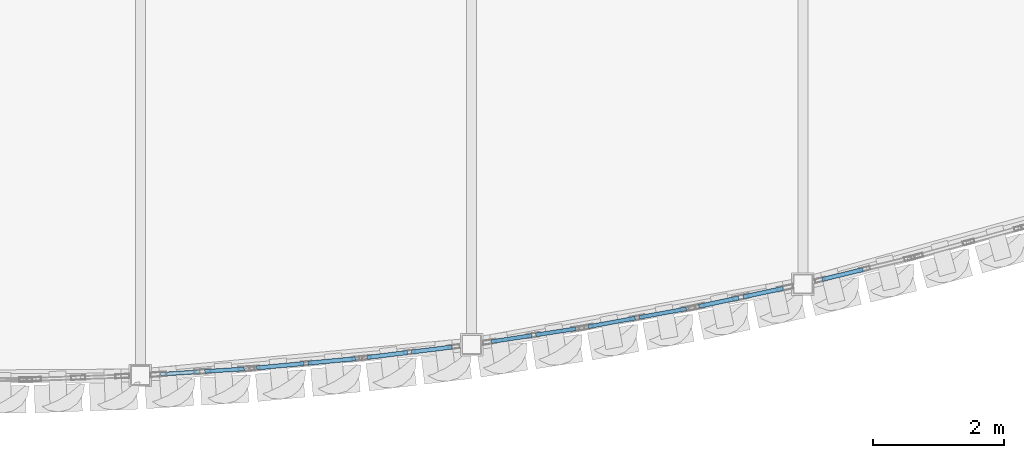
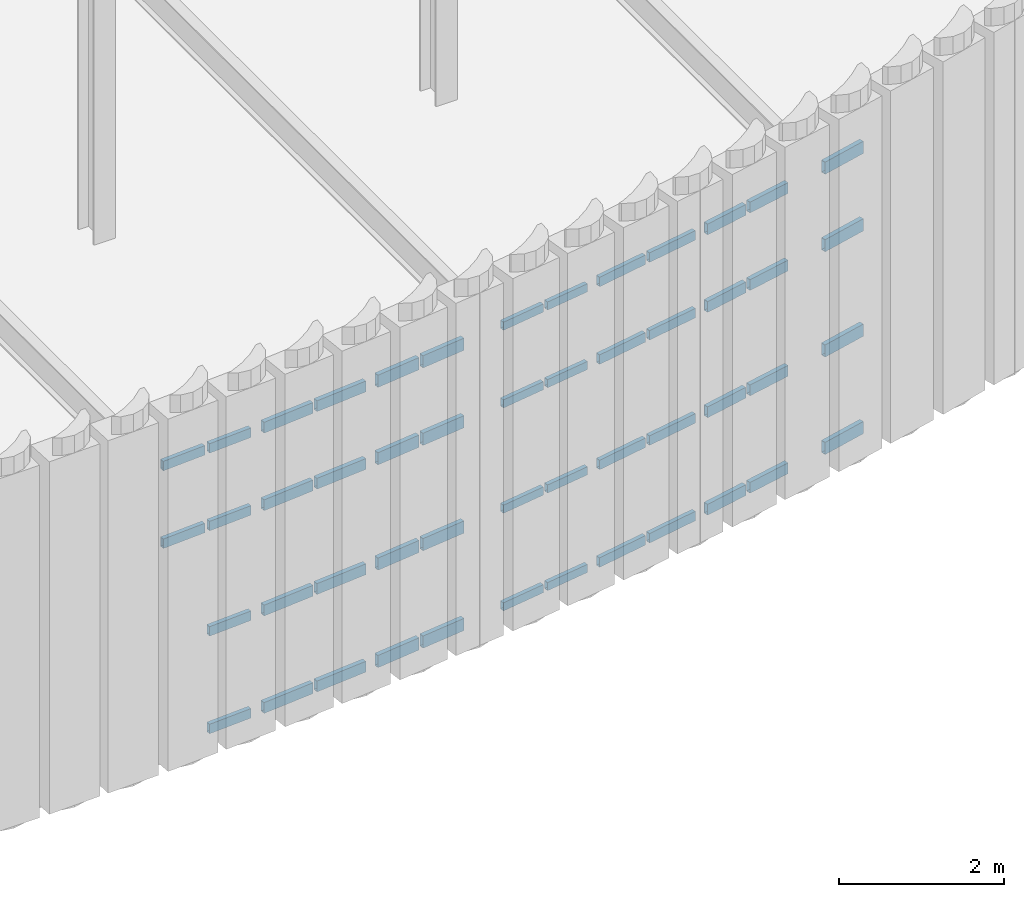
# One storey, part 76 of 126: 50 members, 7 elements without a shape of their own.
"""IFC4 building model written with IfcOpenShell, lengths in metres."""

from ifc_helpers import new_model, si_unit, direction, frame, origin, origin_2d, place, context, subcontext, project, spatial, hollow_rectangle, extrude, material, layer, layer_set, material_profile, profile_set, type_object, element, aggregate, save


model = new_model("IFC4")

# Units and contexts
model_context = context("Model", 3, precision=1e-05, world=origin(), true_north=direction((0.0, 1.0)))
body_context = subcontext(model_context, "Body", "Model", "MODEL_VIEW")
ifc_project = project(units=[si_unit("LENGTHUNIT", "METRE"), si_unit("AREAUNIT", "SQUARE_METRE"), si_unit("VOLUMEUNIT", "CUBIC_METRE"), si_unit("PLANEANGLEUNIT", "RADIAN"), si_unit("MASSUNIT", "GRAM", prefix="KILO")], contexts=[model_context])

# Site, building, storey
site_placement = place(None, origin())
site = spatial("IfcSite", under=ifc_project, at=site_placement, CompositionType="ELEMENT")
building_placement = place(site_placement, origin())
building = spatial("IfcBuilding", under=site, at=building_placement, Name="Solvadek Multi-Sports Hall", CompositionType="ELEMENT")
storey_placement = place(building_placement, frame((0.0, 0.0, 9.60009765625)))
storey = spatial("IfcBuildingStorey", under=building, at=storey_placement, Name="L02", CompositionType="ELEMENT", Elevation=9.60009765625)

# Curtain wall, members
ifc_material = material(Name="Anodised aluminium", Category="aluminium")
ifc_layer_1 = layer(ifc_material, 0.159912109375, Name="Anodised aluminium")
ifc_layer_set_1 = layer_set([ifc_layer_1], Name="Anodised aluminium")
curtain_wall_type_1 = type_object("IfcCurtainWallType", Name="ENV-CW-143X420", PredefinedType="USERDEFINED", material=ifc_layer_set_1)
curtain_wall_1_placement = place(storey_placement, origin())
curtain_wall_1 = element("IfcCurtainWall", 1, at=curtain_wall_1_placement, inside=storey, type_object=curtain_wall_type_1, Name="L02 Crescent Curved Curtain Wall #74", ObjectType="CURTAIN WALL", PredefinedType="USERDEFINED")
ifc_material_profile_1 = material_profile(ifc_material, hollow_rectangle(XDim=0.06005859375, YDim=0.1201171875, WallThickness=0.00390625, at=origin_2d()), Name="ALU-T 120x60x4")
ifc_profile_set_1 = profile_set([ifc_material_profile_1], Name="Anodised aluminium")
member_type_1 = type_object("IfcMemberType", Name="ENV-CWT-01", PredefinedType="USERDEFINED", material=ifc_profile_set_1)
member_1_placement = place(storey_placement, frame((101.821533203125, -12.61279296875, 0.02978515625), z_axis=(0.988576590102, 0.150719360076, 0.0), x_axis=(-0.150719360076, 0.988576590102, 0.0)))
member_1 = element("IfcMember", 2, at=member_1_placement, type_object=member_type_1, Name="CW-26 transom 1.1", ObjectType="TRANSOM", PredefinedType="USERDEFINED", context=body_context, shape_type="SweptSolid", body=[
    extrude(hollow_rectangle(XDim=0.06005859375, YDim=0.1201171875, WallThickness=0.00390625, at=origin_2d()), origin(), (0.0, 0.0, 1.0), 0.6171875),
])
member_2_placement = place(storey_placement, frame((101.821533203125, -12.61279296875, 1.469970703125), z_axis=(0.988576590102, 0.150719360076, 0.0), x_axis=(-0.150719360076, 0.988576590102, 0.0)))
member_2 = element("IfcMember", 3, at=member_2_placement, type_object=member_type_1, Name="CW-26 transom 1.2", ObjectType="TRANSOM", PredefinedType="USERDEFINED", context=body_context, shape_type="SweptSolid", body=[
    extrude(hollow_rectangle(XDim=0.06005859375, YDim=0.1201171875, WallThickness=0.00390625, at=origin_2d()), origin(), (0.0, 0.0, 1.0), 0.6171875),
])
member_3_placement = place(storey_placement, frame((101.821533203125, -12.61279296875, 3.02392578125), z_axis=(0.988576590102, 0.150719360076, 0.0), x_axis=(-0.150719360076, 0.988576590102, 0.0)))
member_3 = element("IfcMember", 4, at=member_3_placement, type_object=member_type_1, Name="CW-26 transom 1.3", ObjectType="TRANSOM", PredefinedType="USERDEFINED", context=body_context, shape_type="SweptSolid", body=[
    extrude(hollow_rectangle(XDim=0.06005859375, YDim=0.1201171875, WallThickness=0.00390625, at=origin_2d()), origin(), (0.0, 0.0, 1.0), 0.6171875),
])
member_4_placement = place(storey_placement, frame((101.821533203125, -12.61279296875, 4.169921875), z_axis=(0.988576590102, 0.150719360076, 0.0), x_axis=(-0.150719360076, 0.988576590102, 0.0)))
member_4 = element("IfcMember", 5, at=member_4_placement, type_object=member_type_1, Name="CW-26 transom 1.4", ObjectType="TRANSOM", PredefinedType="USERDEFINED", context=body_context, shape_type="SweptSolid", body=[
    extrude(hollow_rectangle(XDim=0.06005859375, YDim=0.1201171875, WallThickness=0.00390625, at=origin_2d()), origin(), (0.0, 0.0, 1.0), 0.6171875),
])
member_5_placement = place(storey_placement, frame((102.495849609375, -12.510009765625, 0.02978515625), z_axis=(0.988576590102, 0.150719360076, 0.0), x_axis=(-0.150719360076, 0.988576590102, 0.0)))
member_5 = element("IfcMember", 6, at=member_5_placement, type_object=member_type_1, Name="CW-26 transom 2.1", ObjectType="TRANSOM", PredefinedType="USERDEFINED", context=body_context, shape_type="SweptSolid", body=[
    extrude(hollow_rectangle(XDim=0.06005859375, YDim=0.1201171875, WallThickness=0.00390625, at=origin_2d()), origin(), (0.0, 0.0, 1.0), 0.6171875),
])
member_6_placement = place(storey_placement, frame((102.495849609375, -12.510009765625, 1.469970703125), z_axis=(0.988576590102, 0.150719360076, 0.0), x_axis=(-0.150719360076, 0.988576590102, 0.0)))
member_6 = element("IfcMember", 7, at=member_6_placement, type_object=member_type_1, Name="CW-26 transom 2.2", ObjectType="TRANSOM", PredefinedType="USERDEFINED", context=body_context, shape_type="SweptSolid", body=[
    extrude(hollow_rectangle(XDim=0.06005859375, YDim=0.1201171875, WallThickness=0.00390625, at=origin_2d()), origin(), (0.0, 0.0, 1.0), 0.6171875),
])
member_7_placement = place(storey_placement, frame((102.495849609375, -12.510009765625, 3.02392578125), z_axis=(0.988576590102, 0.150719360076, 0.0), x_axis=(-0.150719360076, 0.988576590102, 0.0)))
member_7 = element("IfcMember", 8, at=member_7_placement, type_object=member_type_1, Name="CW-26 transom 2.3", ObjectType="TRANSOM", PredefinedType="USERDEFINED", context=body_context, shape_type="SweptSolid", body=[
    extrude(hollow_rectangle(XDim=0.06005859375, YDim=0.1201171875, WallThickness=0.00390625, at=origin_2d()), origin(), (0.0, 0.0, 1.0), 0.6171875),
])
member_8_placement = place(storey_placement, frame((102.495849609375, -12.510009765625, 4.169921875), z_axis=(0.988576590102, 0.150719360076, 0.0), x_axis=(-0.150719360076, 0.988576590102, 0.0)))
member_8 = element("IfcMember", 9, at=member_8_placement, type_object=member_type_1, Name="CW-26 transom 2.4", ObjectType="TRANSOM", PredefinedType="USERDEFINED", context=body_context, shape_type="SweptSolid", body=[
    extrude(hollow_rectangle(XDim=0.06005859375, YDim=0.1201171875, WallThickness=0.00390625, at=origin_2d()), origin(), (0.0, 0.0, 1.0), 0.6171875),
])
aggregate(curtain_wall_1, [member_1, member_2, member_3, member_4, member_5, member_6, member_7, member_8])

ifc_layer_2 = layer(ifc_material, 0.159912109375, Name="Anodised aluminium")
ifc_layer_set_2 = layer_set([ifc_layer_2], Name="Anodised aluminium")
curtain_wall_type_2 = type_object("IfcCurtainWallType", Name="ENV-CW-141X420", PredefinedType="USERDEFINED", material=ifc_layer_set_2)
curtain_wall_2_placement = place(storey_placement, origin())
curtain_wall_2 = element("IfcCurtainWall", 10, at=curtain_wall_2_placement, inside=storey, type_object=curtain_wall_type_2, Name="L02 Crescent Curved Curtain Wall #68", ObjectType="CURTAIN WALL", PredefinedType="USERDEFINED")
ifc_material_profile_2 = material_profile(ifc_material, hollow_rectangle(XDim=0.06005859375, YDim=0.139892578125, WallThickness=0.00390625, at=origin_2d()), Name="ALU-T 140x60x4")
ifc_profile_set_2 = profile_set([ifc_material_profile_2], Name="Anodised aluminium")
member_type_2 = type_object("IfcMemberType", Name="ENV-CWT-02", PredefinedType="USERDEFINED", material=ifc_profile_set_2)
member_9_placement = place(storey_placement, frame((96.789306640625, -13.10888671875, 3.02392578125), z_axis=(0.997969631535, 0.063691557785, 0.0), x_axis=(-0.063691557785, 0.997969631535, 0.0)))
member_9 = element("IfcMember", 11, at=member_9_placement, type_object=member_type_2, Name="CW-28 transom 1.3", ObjectType="TRANSOM", PredefinedType="USERDEFINED", context=body_context, shape_type="SweptSolid", body=[
    extrude(hollow_rectangle(XDim=0.06005859375, YDim=0.139892578125, WallThickness=0.00390625, at=origin_2d()), origin(), (0.0, 0.0, 1.0), 0.601806640625),
])
member_10_placement = place(storey_placement, frame((96.789306640625, -13.10888671875, 4.169921875), z_axis=(0.997969631535, 0.063691557785, 0.0), x_axis=(-0.063691557785, 0.997969631535, 0.0)))
member_10 = element("IfcMember", 12, at=member_10_placement, type_object=member_type_2, Name="CW-28 transom 1.4", ObjectType="TRANSOM", PredefinedType="USERDEFINED", context=body_context, shape_type="SweptSolid", body=[
    extrude(hollow_rectangle(XDim=0.06005859375, YDim=0.139892578125, WallThickness=0.00390625, at=origin_2d()), origin(), (0.0, 0.0, 1.0), 0.601806640625),
])
member_11_placement = place(storey_placement, frame((97.459716796875, -13.06591796875, 0.02978515625), z_axis=(0.997969631535, 0.063691557785, 0.0), x_axis=(-0.063691557785, 0.997969631535, 0.0)))
member_11 = element("IfcMember", 13, at=member_11_placement, type_object=member_type_2, Name="CW-28 transom 2.1", ObjectType="TRANSOM", PredefinedType="USERDEFINED", context=body_context, shape_type="SweptSolid", body=[
    extrude(hollow_rectangle(XDim=0.06005859375, YDim=0.139892578125, WallThickness=0.00390625, at=origin_2d()), origin(), (0.0, 0.0, 1.0), 0.601806640625),
])
member_12_placement = place(storey_placement, frame((97.459716796875, -13.06591796875, 1.469970703125), z_axis=(0.997969631535, 0.063691557785, 0.0), x_axis=(-0.063691557785, 0.997969631535, 0.0)))
member_12 = element("IfcMember", 14, at=member_12_placement, type_object=member_type_2, Name="CW-28 transom 2.2", ObjectType="TRANSOM", PredefinedType="USERDEFINED", context=body_context, shape_type="SweptSolid", body=[
    extrude(hollow_rectangle(XDim=0.06005859375, YDim=0.139892578125, WallThickness=0.00390625, at=origin_2d()), origin(), (0.0, 0.0, 1.0), 0.601806640625),
])
member_13_placement = place(storey_placement, frame((97.459716796875, -13.06591796875, 3.02392578125), z_axis=(0.997969631535, 0.063691557785, 0.0), x_axis=(-0.063691557785, 0.997969631535, 0.0)))
member_13 = element("IfcMember", 15, at=member_13_placement, type_object=member_type_2, Name="CW-28 transom 2.3", ObjectType="TRANSOM", PredefinedType="USERDEFINED", context=body_context, shape_type="SweptSolid", body=[
    extrude(hollow_rectangle(XDim=0.06005859375, YDim=0.139892578125, WallThickness=0.00390625, at=origin_2d()), origin(), (0.0, 0.0, 1.0), 0.601806640625),
])
member_14_placement = place(storey_placement, frame((97.459716796875, -13.06591796875, 4.169921875), z_axis=(0.997969631535, 0.063691557785, 0.0), x_axis=(-0.063691557785, 0.997969631535, 0.0)))
member_14 = element("IfcMember", 16, at=member_14_placement, type_object=member_type_2, Name="CW-28 transom 2.4", ObjectType="TRANSOM", PredefinedType="USERDEFINED", context=body_context, shape_type="SweptSolid", body=[
    extrude(hollow_rectangle(XDim=0.06005859375, YDim=0.139892578125, WallThickness=0.00390625, at=origin_2d()), origin(), (0.0, 0.0, 1.0), 0.601806640625),
])
aggregate(curtain_wall_2, [member_9, member_10, member_11, member_12, member_13, member_14])

ifc_layer_3 = layer(ifc_material, 0.159912109375, Name="Anodised aluminium")
ifc_layer_set_3 = layer_set([ifc_layer_3], Name="Anodised aluminium")
curtain_wall_type_3 = type_object("IfcCurtainWallType", Name="ENV-CW-165X420", PredefinedType="USERDEFINED", material=ifc_layer_set_3)
curtain_wall_3_placement = place(storey_placement, origin())
curtain_wall_3 = element("IfcCurtainWall", 17, at=curtain_wall_3_placement, inside=storey, type_object=curtain_wall_type_3, Name="L02 Crescent Curved Curtain Wall #76", ObjectType="CURTAIN WALL", PredefinedType="USERDEFINED")
member_15_placement = place(storey_placement, frame((103.29345703125, -12.3857421875, 0.02978515625), z_axis=(0.98376218055, 0.179476940353, 0.0), x_axis=(-0.179476940353, 0.98376218055, 0.0)))
member_15 = element("IfcMember", 18, at=member_15_placement, type_object=member_type_2, Name="CW-25 transom 1.1", ObjectType="TRANSOM", PredefinedType="USERDEFINED", context=body_context, shape_type="SweptSolid", body=[
    extrude(hollow_rectangle(XDim=0.06005859375, YDim=0.139892578125, WallThickness=0.00390625, at=origin_2d()), origin(), (0.0, 0.0, 1.0), 0.726318359375),
])
member_16_placement = place(storey_placement, frame((103.29345703125, -12.3857421875, 1.469970703125), z_axis=(0.98376218055, 0.179476940353, 0.0), x_axis=(-0.179476940353, 0.98376218055, 0.0)))
member_16 = element("IfcMember", 19, at=member_16_placement, type_object=member_type_2, Name="CW-25 transom 1.2", ObjectType="TRANSOM", PredefinedType="USERDEFINED", context=body_context, shape_type="SweptSolid", body=[
    extrude(hollow_rectangle(XDim=0.06005859375, YDim=0.139892578125, WallThickness=0.00390625, at=origin_2d()), origin(), (0.0, 0.0, 1.0), 0.726318359375),
])
member_17_placement = place(storey_placement, frame((103.29345703125, -12.3857421875, 3.02392578125), z_axis=(0.98376218055, 0.179476940353, 0.0), x_axis=(-0.179476940353, 0.98376218055, 0.0)))
member_17 = element("IfcMember", 20, at=member_17_placement, type_object=member_type_2, Name="CW-25 transom 1.3", ObjectType="TRANSOM", PredefinedType="USERDEFINED", context=body_context, shape_type="SweptSolid", body=[
    extrude(hollow_rectangle(XDim=0.06005859375, YDim=0.139892578125, WallThickness=0.00390625, at=origin_2d()), origin(), (0.0, 0.0, 1.0), 0.726318359375),
])
member_18_placement = place(storey_placement, frame((103.29345703125, -12.3857421875, 4.169921875), z_axis=(0.98376218055, 0.179476940353, 0.0), x_axis=(-0.179476940353, 0.98376218055, 0.0)))
member_18 = element("IfcMember", 21, at=member_18_placement, type_object=member_type_2, Name="CW-25 transom 1.4", ObjectType="TRANSOM", PredefinedType="USERDEFINED", context=body_context, shape_type="SweptSolid", body=[
    extrude(hollow_rectangle(XDim=0.06005859375, YDim=0.139892578125, WallThickness=0.00390625, at=origin_2d()), origin(), (0.0, 0.0, 1.0), 0.726318359375),
])
member_19_placement = place(storey_placement, frame((104.072021484375, -12.24365234375, 0.02978515625), z_axis=(0.983821472893, 0.179151638214, 0.0), x_axis=(-0.179151638214, 0.983821472893, 0.0)))
member_19 = element("IfcMember", 22, at=member_19_placement, type_object=member_type_2, Name="CW-25 transom 2.1", ObjectType="TRANSOM", PredefinedType="USERDEFINED", context=body_context, shape_type="SweptSolid", body=[
    extrude(hollow_rectangle(XDim=0.06005859375, YDim=0.139892578125, WallThickness=0.00390625, at=origin_2d()), origin(), (0.0, 0.0, 1.0), 0.726318359375),
])
member_20_placement = place(storey_placement, frame((104.072021484375, -12.24365234375, 1.469970703125), z_axis=(0.983821472893, 0.179151638214, 0.0), x_axis=(-0.179151638214, 0.983821472893, 0.0)))
member_20 = element("IfcMember", 23, at=member_20_placement, type_object=member_type_2, Name="CW-25 transom 2.2", ObjectType="TRANSOM", PredefinedType="USERDEFINED", context=body_context, shape_type="SweptSolid", body=[
    extrude(hollow_rectangle(XDim=0.06005859375, YDim=0.139892578125, WallThickness=0.00390625, at=origin_2d()), origin(), (0.0, 0.0, 1.0), 0.726318359375),
])
member_21_placement = place(storey_placement, frame((104.072021484375, -12.24365234375, 3.02392578125), z_axis=(0.983821472893, 0.179151638214, 0.0), x_axis=(-0.179151638214, 0.983821472893, 0.0)))
member_21 = element("IfcMember", 24, at=member_21_placement, type_object=member_type_2, Name="CW-25 transom 2.3", ObjectType="TRANSOM", PredefinedType="USERDEFINED", context=body_context, shape_type="SweptSolid", body=[
    extrude(hollow_rectangle(XDim=0.06005859375, YDim=0.139892578125, WallThickness=0.00390625, at=origin_2d()), origin(), (0.0, 0.0, 1.0), 0.726318359375),
])
member_22_placement = place(storey_placement, frame((104.072021484375, -12.24365234375, 4.169921875), z_axis=(0.983821472893, 0.179151638214, 0.0), x_axis=(-0.179151638214, 0.983821472893, 0.0)))
member_22 = element("IfcMember", 25, at=member_22_placement, type_object=member_type_2, Name="CW-25 transom 2.4", ObjectType="TRANSOM", PredefinedType="USERDEFINED", context=body_context, shape_type="SweptSolid", body=[
    extrude(hollow_rectangle(XDim=0.06005859375, YDim=0.139892578125, WallThickness=0.00390625, at=origin_2d()), origin(), (0.0, 0.0, 1.0), 0.726318359375),
])
aggregate(curtain_wall_3, [member_15, member_16, member_17, member_18, member_19, member_20, member_21, member_22])

ifc_layer_4 = layer(ifc_material, 0.159912109375, Name="Anodised aluminium")
ifc_layer_set_4 = layer_set([ifc_layer_4], Name="Anodised aluminium")
curtain_wall_type_4 = type_object("IfcCurtainWallType", Name="ENV-CW-163X420", PredefinedType="USERDEFINED", material=ifc_layer_set_4)
curtain_wall_4_placement = place(storey_placement, origin())
curtain_wall_4 = element("IfcCurtainWall", 26, at=curtain_wall_4_placement, inside=storey, type_object=curtain_wall_type_4, Name="L02 Crescent Curved Curtain Wall #70", ObjectType="CURTAIN WALL", PredefinedType="USERDEFINED")
ifc_material_profile_3 = material_profile(ifc_material, hollow_rectangle(XDim=0.06494140625, YDim=0.159912109375, WallThickness=0.00390625, at=origin_2d()), Name="ALU-T 160x65x4")
ifc_profile_set_3 = profile_set([ifc_material_profile_3], Name="Anodised aluminium")
member_type_3 = type_object("IfcMemberType", Name="ENV-CWT-03", PredefinedType="USERDEFINED", material=ifc_profile_set_3)
member_23_placement = place(storey_placement, frame((98.249755859375, -13.0126953125, 0.032470703125), z_axis=(0.995686005738, 0.092786733845, 0.0), x_axis=(-0.092786733845, 0.995686005738, 0.0)))
member_23 = element("IfcMember", 27, at=member_23_placement, type_object=member_type_3, Name="CW-15 transom 1.1", ObjectType="TRANSOM", PredefinedType="USERDEFINED", context=body_context, shape_type="SweptSolid", body=[
    extrude(hollow_rectangle(XDim=0.06494140625, YDim=0.159912109375, WallThickness=0.00390625, at=origin_2d()), origin(), (0.0, 0.0, 1.0), 0.7236328125),
])
member_24_placement = place(storey_placement, frame((98.249755859375, -13.0126953125, 1.469970703125), z_axis=(0.995686005738, 0.092786733845, 0.0), x_axis=(-0.092786733845, 0.995686005738, 0.0)))
member_24 = element("IfcMember", 28, at=member_24_placement, type_object=member_type_3, Name="CW-15 transom 1.2", ObjectType="TRANSOM", PredefinedType="USERDEFINED", context=body_context, shape_type="SweptSolid", body=[
    extrude(hollow_rectangle(XDim=0.06494140625, YDim=0.159912109375, WallThickness=0.00390625, at=origin_2d()), origin(), (0.0, 0.0, 1.0), 0.7236328125),
])
member_25_placement = place(storey_placement, frame((98.249755859375, -13.0126953125, 3.02392578125), z_axis=(0.995686005738, 0.092786733845, 0.0), x_axis=(-0.092786733845, 0.995686005738, 0.0)))
member_25 = element("IfcMember", 29, at=member_25_placement, type_object=member_type_3, Name="CW-15 transom 1.3", ObjectType="TRANSOM", PredefinedType="USERDEFINED", context=body_context, shape_type="SweptSolid", body=[
    extrude(hollow_rectangle(XDim=0.06494140625, YDim=0.159912109375, WallThickness=0.00390625, at=origin_2d()), origin(), (0.0, 0.0, 1.0), 0.7236328125),
])
member_26_placement = place(storey_placement, frame((98.249755859375, -13.0126953125, 4.16748046875), z_axis=(0.995686005738, 0.092786733845, 0.0), x_axis=(-0.092786733845, 0.995686005738, 0.0)))
member_26 = element("IfcMember", 30, at=member_26_placement, type_object=member_type_3, Name="CW-15 transom 1.4", ObjectType="TRANSOM", PredefinedType="USERDEFINED", context=body_context, shape_type="SweptSolid", body=[
    extrude(hollow_rectangle(XDim=0.06494140625, YDim=0.159912109375, WallThickness=0.00390625, at=origin_2d()), origin(), (0.0, 0.0, 1.0), 0.7236328125),
])
member_27_placement = place(storey_placement, frame((99.02978515625, -12.93994140625, 0.032470703125), z_axis=(0.995686005738, 0.092786733845, 0.0), x_axis=(-0.092786733845, 0.995686005738, 0.0)))
member_27 = element("IfcMember", 31, at=member_27_placement, type_object=member_type_3, Name="CW-15 transom 2.1", ObjectType="TRANSOM", PredefinedType="USERDEFINED", context=body_context, shape_type="SweptSolid", body=[
    extrude(hollow_rectangle(XDim=0.06494140625, YDim=0.159912109375, WallThickness=0.00390625, at=origin_2d()), origin(), (0.0, 0.0, 1.0), 0.7236328125),
])
member_28_placement = place(storey_placement, frame((99.02978515625, -12.93994140625, 1.469970703125), z_axis=(0.995686005738, 0.092786733845, 0.0), x_axis=(-0.092786733845, 0.995686005738, 0.0)))
member_28 = element("IfcMember", 32, at=member_28_placement, type_object=member_type_3, Name="CW-15 transom 2.2", ObjectType="TRANSOM", PredefinedType="USERDEFINED", context=body_context, shape_type="SweptSolid", body=[
    extrude(hollow_rectangle(XDim=0.06494140625, YDim=0.159912109375, WallThickness=0.00390625, at=origin_2d()), origin(), (0.0, 0.0, 1.0), 0.7236328125),
])
member_29_placement = place(storey_placement, frame((99.02978515625, -12.93994140625, 3.02392578125), z_axis=(0.995686005738, 0.092786733845, 0.0), x_axis=(-0.092786733845, 0.995686005738, 0.0)))
member_29 = element("IfcMember", 33, at=member_29_placement, type_object=member_type_3, Name="CW-15 transom 2.3", ObjectType="TRANSOM", PredefinedType="USERDEFINED", context=body_context, shape_type="SweptSolid", body=[
    extrude(hollow_rectangle(XDim=0.06494140625, YDim=0.159912109375, WallThickness=0.00390625, at=origin_2d()), origin(), (0.0, 0.0, 1.0), 0.7236328125),
])
member_30_placement = place(storey_placement, frame((99.02978515625, -12.93994140625, 4.16748046875), z_axis=(0.995686005738, 0.092786733845, 0.0), x_axis=(-0.092786733845, 0.995686005738, 0.0)))
member_30 = element("IfcMember", 34, at=member_30_placement, type_object=member_type_3, Name="CW-15 transom 2.4", ObjectType="TRANSOM", PredefinedType="USERDEFINED", context=body_context, shape_type="SweptSolid", body=[
    extrude(hollow_rectangle(XDim=0.06494140625, YDim=0.159912109375, WallThickness=0.00390625, at=origin_2d()), origin(), (0.0, 0.0, 1.0), 0.7236328125),
])
aggregate(curtain_wall_4, [member_23, member_24, member_25, member_26, member_27, member_28, member_29, member_30])

ifc_layer_5 = layer(ifc_material, 0.159912109375, Name="Anodised aluminium")
ifc_layer_set_5 = layer_set([ifc_layer_5], Name="Anodised aluminium")
curtain_wall_type_5 = type_object("IfcCurtainWallType", Name="ENV-CW-145X420", PredefinedType="USERDEFINED", material=ifc_layer_set_5)
curtain_wall_5_placement = place(storey_placement, origin())
curtain_wall_5 = element("IfcCurtainWall", 35, at=curtain_wall_5_placement, inside=storey, type_object=curtain_wall_type_5, Name="L02 Crescent Curved Curtain Wall #78", ObjectType="CURTAIN WALL", PredefinedType="USERDEFINED")
member_31_placement = place(storey_placement, frame((104.977783203125, -12.07568359375, 0.032470703125), z_axis=(0.97806148051, 0.208316442803, 0.0), x_axis=(-0.208316442803, 0.97806148051, 0.0)))
member_31 = element("IfcMember", 36, at=member_31_placement, type_object=member_type_3, Name="CW-24 transom 1.1", ObjectType="TRANSOM", PredefinedType="USERDEFINED", context=body_context, shape_type="SweptSolid", body=[
    extrude(hollow_rectangle(XDim=0.06494140625, YDim=0.159912109375, WallThickness=0.00390625, at=origin_2d()), origin(), (0.0, 0.0, 1.0), 0.618896484375),
])
member_32_placement = place(storey_placement, frame((104.977783203125, -12.07568359375, 1.469970703125), z_axis=(0.97806148051, 0.208316442803, 0.0), x_axis=(-0.208316442803, 0.97806148051, 0.0)))
member_32 = element("IfcMember", 37, at=member_32_placement, type_object=member_type_3, Name="CW-24 transom 1.2", ObjectType="TRANSOM", PredefinedType="USERDEFINED", context=body_context, shape_type="SweptSolid", body=[
    extrude(hollow_rectangle(XDim=0.06494140625, YDim=0.159912109375, WallThickness=0.00390625, at=origin_2d()), origin(), (0.0, 0.0, 1.0), 0.618896484375),
])
member_33_placement = place(storey_placement, frame((104.977783203125, -12.07568359375, 3.02392578125), z_axis=(0.97806148051, 0.208316442803, 0.0), x_axis=(-0.208316442803, 0.97806148051, 0.0)))
member_33 = element("IfcMember", 38, at=member_33_placement, type_object=member_type_3, Name="CW-24 transom 1.3", ObjectType="TRANSOM", PredefinedType="USERDEFINED", context=body_context, shape_type="SweptSolid", body=[
    extrude(hollow_rectangle(XDim=0.06494140625, YDim=0.159912109375, WallThickness=0.00390625, at=origin_2d()), origin(), (0.0, 0.0, 1.0), 0.618896484375),
])
member_34_placement = place(storey_placement, frame((104.977783203125, -12.07568359375, 4.16748046875), z_axis=(0.97806148051, 0.208316442803, 0.0), x_axis=(-0.208316442803, 0.97806148051, 0.0)))
member_34 = element("IfcMember", 39, at=member_34_placement, type_object=member_type_3, Name="CW-24 transom 1.4", ObjectType="TRANSOM", PredefinedType="USERDEFINED", context=body_context, shape_type="SweptSolid", body=[
    extrude(hollow_rectangle(XDim=0.06494140625, YDim=0.159912109375, WallThickness=0.00390625, at=origin_2d()), origin(), (0.0, 0.0, 1.0), 0.618896484375),
])
member_35_placement = place(storey_placement, frame((105.651611328125, -11.93212890625, 0.032470703125), z_axis=(0.97806148051, 0.208316442803, 0.0), x_axis=(-0.208316442803, 0.97806148051, 0.0)))
member_35 = element("IfcMember", 40, at=member_35_placement, type_object=member_type_3, Name="CW-24 transom 2.1", ObjectType="TRANSOM", PredefinedType="USERDEFINED", context=body_context, shape_type="SweptSolid", body=[
    extrude(hollow_rectangle(XDim=0.06494140625, YDim=0.159912109375, WallThickness=0.00390625, at=origin_2d()), origin(), (0.0, 0.0, 1.0), 0.618896484375),
])
member_36_placement = place(storey_placement, frame((105.651611328125, -11.93212890625, 1.469970703125), z_axis=(0.97806148051, 0.208316442803, 0.0), x_axis=(-0.208316442803, 0.97806148051, 0.0)))
member_36 = element("IfcMember", 41, at=member_36_placement, type_object=member_type_3, Name="CW-24 transom 2.2", ObjectType="TRANSOM", PredefinedType="USERDEFINED", context=body_context, shape_type="SweptSolid", body=[
    extrude(hollow_rectangle(XDim=0.06494140625, YDim=0.159912109375, WallThickness=0.00390625, at=origin_2d()), origin(), (0.0, 0.0, 1.0), 0.618896484375),
])
member_37_placement = place(storey_placement, frame((105.651611328125, -11.93212890625, 3.02392578125), z_axis=(0.97806148051, 0.208316442803, 0.0), x_axis=(-0.208316442803, 0.97806148051, 0.0)))
member_37 = element("IfcMember", 42, at=member_37_placement, type_object=member_type_3, Name="CW-24 transom 2.3", ObjectType="TRANSOM", PredefinedType="USERDEFINED", context=body_context, shape_type="SweptSolid", body=[
    extrude(hollow_rectangle(XDim=0.06494140625, YDim=0.159912109375, WallThickness=0.00390625, at=origin_2d()), origin(), (0.0, 0.0, 1.0), 0.618896484375),
])
member_38_placement = place(storey_placement, frame((105.651611328125, -11.93212890625, 4.16748046875), z_axis=(0.97806148051, 0.208316442803, 0.0), x_axis=(-0.208316442803, 0.97806148051, 0.0)))
member_38 = element("IfcMember", 43, at=member_38_placement, type_object=member_type_3, Name="CW-24 transom 2.4", ObjectType="TRANSOM", PredefinedType="USERDEFINED", context=body_context, shape_type="SweptSolid", body=[
    extrude(hollow_rectangle(XDim=0.06494140625, YDim=0.159912109375, WallThickness=0.00390625, at=origin_2d()), origin(), (0.0, 0.0, 1.0), 0.618896484375),
])
aggregate(curtain_wall_5, [member_31, member_32, member_33, member_34, member_35, member_36, member_37, member_38])

ifc_layer_6 = layer(ifc_material, 0.159912109375, Name="Anodised aluminium")
ifc_layer_set_6 = layer_set([ifc_layer_6], Name="Anodised aluminium")
curtain_wall_type_6 = type_object("IfcCurtainWallType", Name="ENV-CW-142X420", PredefinedType="USERDEFINED", material=ifc_layer_set_6)
curtain_wall_6_placement = place(storey_placement, origin())
curtain_wall_6 = element("IfcCurtainWall", 44, at=curtain_wall_6_placement, inside=storey, type_object=curtain_wall_type_6, Name="L02 Crescent Curved Curtain Wall #72", ObjectType="CURTAIN WALL", PredefinedType="USERDEFINED")
ifc_material_profile_4 = material_profile(ifc_material, hollow_rectangle(XDim=0.06494140625, YDim=0.179931640625, WallThickness=0.0048828125, at=origin_2d()), Name="ALU-T 180x65x5")
ifc_profile_set_4 = profile_set([ifc_material_profile_4], Name="Anodised aluminium")
member_type_4 = type_object("IfcMemberType", Name="ENV-CWT-04", PredefinedType="USERDEFINED", material=ifc_profile_set_4)
member_39_placement = place(storey_placement, frame((99.929443359375, -12.853515625, 0.032470703125), z_axis=(0.992600893654, 0.121422674639, 0.0), x_axis=(-0.121422674639, 0.992600893654, 0.0)))
member_39 = element("IfcMember", 45, at=member_39_placement, type_object=member_type_4, Name="CW-27 transom 1.1", ObjectType="TRANSOM", PredefinedType="USERDEFINED", context=body_context, shape_type="SweptSolid", body=[
    extrude(hollow_rectangle(XDim=0.06494140625, YDim=0.179931640625, WallThickness=0.0048828125, at=origin_2d()), origin(), (0.0, 0.0, 1.0), 0.621337890625),
])
member_40_placement = place(storey_placement, frame((99.929443359375, -12.853515625, 1.469970703125), z_axis=(0.992600893654, 0.121422674639, 0.0), x_axis=(-0.121422674639, 0.992600893654, 0.0)))
member_40 = element("IfcMember", 46, at=member_40_placement, type_object=member_type_4, Name="CW-27 transom 1.2", ObjectType="TRANSOM", PredefinedType="USERDEFINED", context=body_context, shape_type="SweptSolid", body=[
    extrude(hollow_rectangle(XDim=0.06494140625, YDim=0.179931640625, WallThickness=0.0048828125, at=origin_2d()), origin(), (0.0, 0.0, 1.0), 0.621337890625),
])
member_41_placement = place(storey_placement, frame((99.929443359375, -12.853515625, 3.02392578125), z_axis=(0.992600893654, 0.121422674639, 0.0), x_axis=(-0.121422674639, 0.992600893654, 0.0)))
member_41 = element("IfcMember", 47, at=member_41_placement, type_object=member_type_4, Name="CW-27 transom 1.3", ObjectType="TRANSOM", PredefinedType="USERDEFINED", context=body_context, shape_type="SweptSolid", body=[
    extrude(hollow_rectangle(XDim=0.06494140625, YDim=0.179931640625, WallThickness=0.0048828125, at=origin_2d()), origin(), (0.0, 0.0, 1.0), 0.621337890625),
])
member_42_placement = place(storey_placement, frame((99.929443359375, -12.853515625, 4.16748046875), z_axis=(0.992600893654, 0.121422674639, 0.0), x_axis=(-0.121422674639, 0.992600893654, 0.0)))
member_42 = element("IfcMember", 48, at=member_42_placement, type_object=member_type_4, Name="CW-27 transom 1.4", ObjectType="TRANSOM", PredefinedType="USERDEFINED", context=body_context, shape_type="SweptSolid", body=[
    extrude(hollow_rectangle(XDim=0.06494140625, YDim=0.179931640625, WallThickness=0.0048828125, at=origin_2d()), origin(), (0.0, 0.0, 1.0), 0.621337890625),
])
member_43_placement = place(storey_placement, frame((100.60546875, -12.770751953125, 0.032470703125), z_axis=(0.992553459975, 0.121809807044, 0.0), x_axis=(-0.121809807044, 0.992553459975, 0.0)))
member_43 = element("IfcMember", 49, at=member_43_placement, type_object=member_type_4, Name="CW-27 transom 2.1", ObjectType="TRANSOM", PredefinedType="USERDEFINED", context=body_context, shape_type="SweptSolid", body=[
    extrude(hollow_rectangle(XDim=0.06494140625, YDim=0.179931640625, WallThickness=0.0048828125, at=origin_2d()), origin(), (0.0, 0.0, 1.0), 0.621337890625),
])
member_44_placement = place(storey_placement, frame((100.60546875, -12.770751953125, 1.469970703125), z_axis=(0.992553459975, 0.121809807044, 0.0), x_axis=(-0.121809807044, 0.992553459975, 0.0)))
member_44 = element("IfcMember", 50, at=member_44_placement, type_object=member_type_4, Name="CW-27 transom 2.2", ObjectType="TRANSOM", PredefinedType="USERDEFINED", context=body_context, shape_type="SweptSolid", body=[
    extrude(hollow_rectangle(XDim=0.06494140625, YDim=0.179931640625, WallThickness=0.0048828125, at=origin_2d()), origin(), (0.0, 0.0, 1.0), 0.621337890625),
])
member_45_placement = place(storey_placement, frame((100.60546875, -12.770751953125, 3.02392578125), z_axis=(0.992553459975, 0.121809807044, 0.0), x_axis=(-0.121809807044, 0.992553459975, 0.0)))
member_45 = element("IfcMember", 51, at=member_45_placement, type_object=member_type_4, Name="CW-27 transom 2.3", ObjectType="TRANSOM", PredefinedType="USERDEFINED", context=body_context, shape_type="SweptSolid", body=[
    extrude(hollow_rectangle(XDim=0.06494140625, YDim=0.179931640625, WallThickness=0.0048828125, at=origin_2d()), origin(), (0.0, 0.0, 1.0), 0.621337890625),
])
member_46_placement = place(storey_placement, frame((100.60546875, -12.770751953125, 4.16748046875), z_axis=(0.992553459975, 0.121809807044, 0.0), x_axis=(-0.121809807044, 0.992553459975, 0.0)))
member_46 = element("IfcMember", 52, at=member_46_placement, type_object=member_type_4, Name="CW-27 transom 2.4", ObjectType="TRANSOM", PredefinedType="USERDEFINED", context=body_context, shape_type="SweptSolid", body=[
    extrude(hollow_rectangle(XDim=0.06494140625, YDim=0.179931640625, WallThickness=0.0048828125, at=origin_2d()), origin(), (0.0, 0.0, 1.0), 0.621337890625),
])
aggregate(curtain_wall_6, [member_39, member_40, member_41, member_42, member_43, member_44, member_45, member_46])

ifc_layer_7 = layer(ifc_material, 0.159912109375, Name="Anodised aluminium")
ifc_layer_set_7 = layer_set([ifc_layer_7], Name="Anodised aluminium")
curtain_wall_type_7 = type_object("IfcCurtainWallType", Name="ENV-CW-146X420", PredefinedType="USERDEFINED", material=ifc_layer_set_7)
curtain_wall_7_placement = place(storey_placement, origin())
curtain_wall_7 = element("IfcCurtainWall", 53, at=curtain_wall_7_placement, inside=storey, type_object=curtain_wall_type_7, Name="L02 Crescent Curved Curtain Wall #80", ObjectType="CURTAIN WALL", PredefinedType="USERDEFINED")
member_47_placement = place(storey_placement, frame((106.8515625, -11.66748046875, 0.032470703125), z_axis=(0.971496757311, 0.237052843336, 0.0), x_axis=(-0.237052843336, 0.971496757311, 0.0)))
member_47 = element("IfcMember", 54, at=member_47_placement, type_object=member_type_4, Name="CW-23 transom 1.1", ObjectType="TRANSOM", PredefinedType="USERDEFINED", context=body_context, shape_type="SweptSolid", body=[
    extrude(hollow_rectangle(XDim=0.06494140625, YDim=0.179931640625, WallThickness=0.0048828125, at=origin_2d()), origin(), (0.0, 0.0, 1.0), 0.6396484375),
])
member_48_placement = place(storey_placement, frame((106.8515625, -11.66748046875, 1.469970703125), z_axis=(0.971496757311, 0.237052843336, 0.0), x_axis=(-0.237052843336, 0.971496757311, 0.0)))
member_48 = element("IfcMember", 55, at=member_48_placement, type_object=member_type_4, Name="CW-23 transom 1.2", ObjectType="TRANSOM", PredefinedType="USERDEFINED", context=body_context, shape_type="SweptSolid", body=[
    extrude(hollow_rectangle(XDim=0.06494140625, YDim=0.179931640625, WallThickness=0.0048828125, at=origin_2d()), origin(), (0.0, 0.0, 1.0), 0.6396484375),
])
member_49_placement = place(storey_placement, frame((106.8515625, -11.66748046875, 3.02392578125), z_axis=(0.971496757311, 0.237052843336, 0.0), x_axis=(-0.237052843336, 0.971496757311, 0.0)))
member_49 = element("IfcMember", 56, at=member_49_placement, type_object=member_type_4, Name="CW-23 transom 1.3", ObjectType="TRANSOM", PredefinedType="USERDEFINED", context=body_context, shape_type="SweptSolid", body=[
    extrude(hollow_rectangle(XDim=0.06494140625, YDim=0.179931640625, WallThickness=0.0048828125, at=origin_2d()), origin(), (0.0, 0.0, 1.0), 0.6396484375),
])
member_50_placement = place(storey_placement, frame((106.8515625, -11.66748046875, 4.16748046875), z_axis=(0.971496757311, 0.237052843336, 0.0), x_axis=(-0.237052843336, 0.971496757311, 0.0)))
member_50 = element("IfcMember", 57, at=member_50_placement, type_object=member_type_4, Name="CW-23 transom 1.4", ObjectType="TRANSOM", PredefinedType="USERDEFINED", context=body_context, shape_type="SweptSolid", body=[
    extrude(hollow_rectangle(XDim=0.06494140625, YDim=0.179931640625, WallThickness=0.0048828125, at=origin_2d()), origin(), (0.0, 0.0, 1.0), 0.6396484375),
])
aggregate(curtain_wall_7, [member_47, member_48, member_49, member_50])

save(model, "model.ifc")
